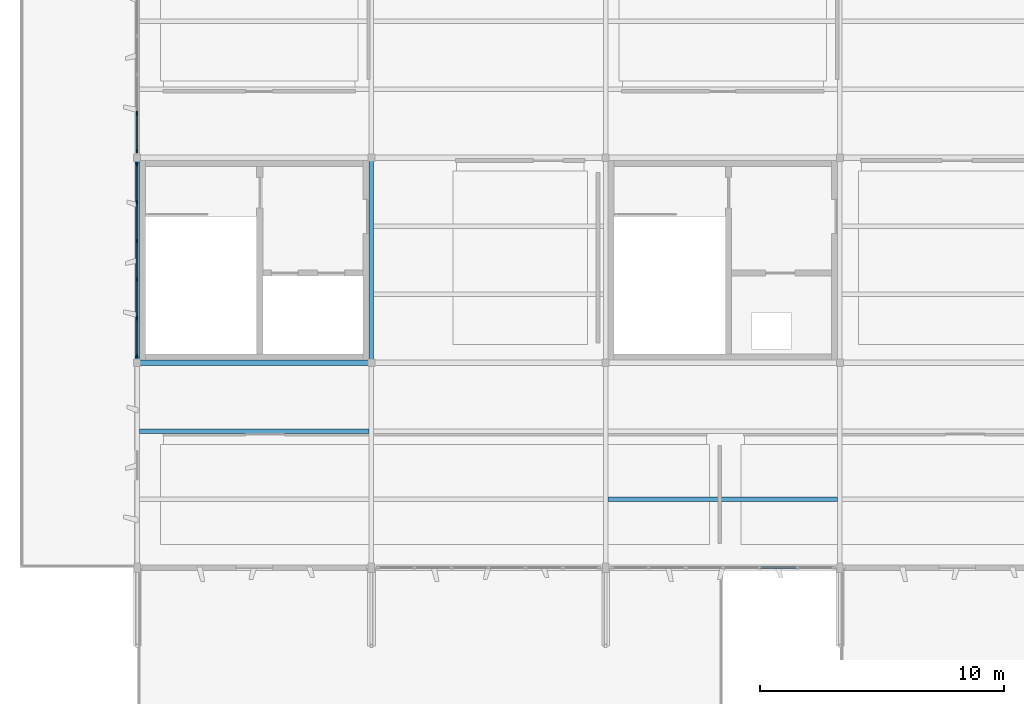
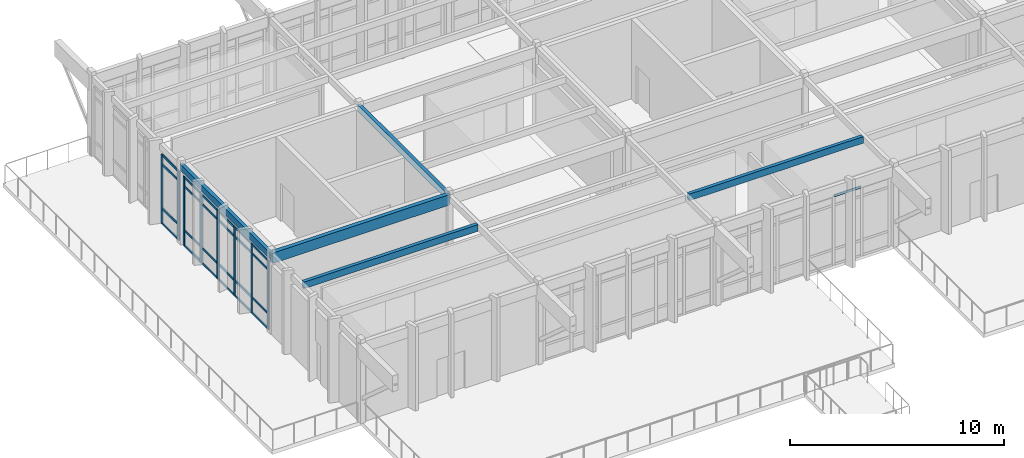
# One storey, part 3 of 19: 33 members, 5 beams, 3 elements without a shape of their own.
"""IFC4 building model written with IfcOpenShell, lengths in metres."""

from ifc_helpers import new_model, si_unit, direction, frame, origin, origin_2d, place, context, subcontext, project, spatial, rectangle, extrude, material, layer, layer_set, material_profile, profile_set, type_object, element, aggregate, save


model = new_model("IFC4")

# Units and contexts
model_context = context("Model", 3, precision=1e-05, world=origin(), true_north=direction((0.0, 1.0)))
body_context = subcontext(model_context, "Body", "Model", "MODEL_VIEW")
ifc_project = project(units=[si_unit("LENGTHUNIT", "METRE"), si_unit("AREAUNIT", "SQUARE_METRE"), si_unit("VOLUMEUNIT", "CUBIC_METRE"), si_unit("PLANEANGLEUNIT", "RADIAN"), si_unit("MASSUNIT", "GRAM", prefix="KILO")], contexts=[model_context])

# Site, building, storey
site_placement = place(None, origin())
site = spatial("IfcSite", under=ifc_project, at=site_placement, CompositionType="ELEMENT")
building_placement = place(site_placement, origin())
building = spatial("IfcBuilding", under=site, at=building_placement, Name="Kolvemor Railside Polytechnic", CompositionType="ELEMENT")
storey_placement = place(building_placement, frame((0.0, 0.0, 27.0)))
storey = spatial("IfcBuildingStorey", under=building, at=storey_placement, Name="L06", CompositionType="ELEMENT", Elevation=27.0)

# Beams
ifc_material_1 = material(Name="Glulam GL28h", Category="wood")
ifc_material_profile_1 = material_profile(ifc_material_1, rectangle(XDim=0.215087890625, YDim=0.60009765625, at=origin_2d()), Name="GL215x600")
ifc_profile_set_1 = profile_set([ifc_material_profile_1], Name="Glulam GL28h")
beam_type_1 = type_object("IfcBeamType", Name="BM-GL-EAVE", PredefinedType="BEAM", material=ifc_profile_set_1)
beam_placement = place(storey_placement, frame((67.199951171875, 21.60009765625, 4.264892578125), z_axis=(1.0, 0.0, 0.0), x_axis=(0.0, 1.0, 0.0)))
element("IfcBeam", 1, at=beam_placement, inside=storey, type_object=beam_type_1, Name="Primary Girder RF-GX 1745", PredefinedType="BEAM", context=body_context, shape_type="SweptSolid", body=[
    extrude(rectangle(XDim=0.215087890625, YDim=0.60009765625, at=origin_2d()), origin(), (0.0, 0.0, 1.0), 9.60009765625),
])
ifc_material_2 = material(Name="Glulam GL28h", Category="wood")
ifc_material_profile_2 = material_profile(ifc_material_2, rectangle(XDim=0.18505859375, YDim=0.3798828125, at=origin_2d()), Name="GL185x380")
ifc_profile_set_2 = profile_set([ifc_material_profile_2], Name="Glulam GL28h")
beam_type_2 = type_object("IfcBeamType", Name="BM-GL-JST6", PredefinedType="JOIST", material=ifc_profile_set_2)
for number, where, z_axis, x_axis, name in (
    (2, (67.2919921875, 18.800048828125, 4.375), (1.0, 0.0, 0.0), (0.0, 1.0, 0.0), "Floor Joist RF-J1803"),
    (3, (86.491943359375, 16.0, 4.375), (1.0, 0.0, 0.0), (0.0, 1.0, 0.0), "Floor Joist RF-J1812"),
):
    element("IfcBeam", number, at=place(storey_placement, frame(where, z_axis=z_axis, x_axis=x_axis)), inside=storey, type_object=beam_type_2, Name=name, PredefinedType="JOIST", context=body_context, shape_type="SweptSolid", body=[
        extrude(rectangle(XDim=0.18505859375, YDim=0.3798828125, at=origin_2d()), origin(), (0.0, 0.0, 1.0), 9.416015625),
    ])
ifc_material_3 = material(Name="Glulam GL28h", Category="wood")
ifc_material_profile_3 = material_profile(ifc_material_3, rectangle(XDim=0.18505859375, YDim=0.360107421875, at=origin_2d()), Name="GL185x360")
ifc_profile_set_3 = profile_set([ifc_material_profile_3], Name="Glulam GL28h")
beam_type_3 = type_object("IfcBeamType", Name="BM-GL-TRIM", PredefinedType="LINTEL", material=ifc_profile_set_3)
for number, where, z_axis, x_axis, name in (
    (4, (67.199951171875, 21.60009765625, 4.385009765625), (0.0, 1.0, 0.0), (-1.0, 0.0, 0.0), "Primary Girder RF-GY 1761"),
    (5, (76.800048828125, 21.60009765625, 4.385009765625), (0.0, 1.0, 0.0), (-1.0, 0.0, 0.0), "Primary Girder RF-GY 1768"),
):
    element("IfcBeam", number, at=place(storey_placement, frame(where, z_axis=z_axis, x_axis=x_axis)), inside=storey, type_object=beam_type_3, Name=name, PredefinedType="LINTEL", context=body_context, shape_type="SweptSolid", body=[
        extrude(rectangle(XDim=0.18505859375, YDim=0.360107421875, at=origin_2d()), origin(), (0.0, 0.0, 1.0), 8.39990234375),
    ])

# Curtain wall, members
ifc_material_4 = material(Name="Anodised marine aluminium and laminated low-E glass", Category="aluminium")
ifc_layer = layer(ifc_material_4, 0.179931640625, Name="CW-STICK-LIB")
ifc_layer_set = layer_set([ifc_layer], Name="Anodised marine aluminium and laminated low-E glass")
curtain_wall_type = type_object("IfcCurtainWallType", Name="CW-STICK-LIB", PredefinedType="USERDEFINED", material=ifc_layer_set)
curtain_wall_1_placement = place(storey_placement, origin())
curtain_wall_1 = element("IfcCurtainWall", 6, at=curtain_wall_1_placement, inside=storey, type_object=curtain_wall_type, Name="Curtain Wall L06-149", ObjectType="STICK GLAZED SCREEN", PredefinedType="USERDEFINED")
ifc_material_5 = material(Name="Anodised marine aluminium 6063-T6", Category="aluminium")
ifc_material_profile_4 = material_profile(ifc_material_5, rectangle(XDim=0.06494140625, YDim=0.14990234375, at=origin_2d()), Name="CW-MUL-65x150")
ifc_profile_set_4 = profile_set([ifc_material_profile_4], Name="Anodised marine aluminium 6063-T6")
member_type_1 = type_object("IfcMemberType", Name="CWM-65x150", PredefinedType="MULLION", material=ifc_profile_set_4)
member_1_placement = place(storey_placement, frame((67.199951171875, 29.7275390625, 0.0), z_axis=(0.0, 0.0, 1.0), x_axis=(1.0, 0.0, 0.0)))
member_1 = element("IfcMember", 7, at=member_1_placement, type_object=member_type_1, Name="CW-LIB mullion 1", PredefinedType="MULLION", context=body_context, shape_type="SweptSolid", body=[
    extrude(rectangle(XDim=0.06494140625, YDim=0.14990234375, at=origin_2d()), origin(), (0.0, 0.0, 1.0), 3.965087890625),
])
member_2_placement = place(storey_placement, frame((67.199951171875, 28.176025390625, 0.0), z_axis=(0.0, 0.0, 1.0), x_axis=(1.0, 0.0, 0.0)))
member_2 = element("IfcMember", 8, at=member_2_placement, type_object=member_type_1, Name="CW-LIB mullion 2", PredefinedType="MULLION", context=body_context, shape_type="SweptSolid", body=[
    extrude(rectangle(XDim=0.06494140625, YDim=0.14990234375, at=origin_2d()), origin(), (0.0, 0.0, 1.0), 3.965087890625),
])
member_3_placement = place(storey_placement, frame((67.199951171875, 26.592041015625, 0.0), z_axis=(0.0, 0.0, 1.0), x_axis=(1.0, 0.0, 0.0)))
member_3 = element("IfcMember", 9, at=member_3_placement, type_object=member_type_1, Name="CW-LIB mullion 3", PredefinedType="MULLION", context=body_context, shape_type="SweptSolid", body=[
    extrude(rectangle(XDim=0.06494140625, YDim=0.14990234375, at=origin_2d()), origin(), (0.0, 0.0, 1.0), 3.965087890625),
])
member_4_placement = place(storey_placement, frame((67.199951171875, 25.008056640625, 0.0), z_axis=(0.0, 0.0, 1.0), x_axis=(1.0, 0.0, 0.0)))
member_4 = element("IfcMember", 10, at=member_4_placement, type_object=member_type_1, Name="CW-LIB mullion 4", PredefinedType="MULLION", context=body_context, shape_type="SweptSolid", body=[
    extrude(rectangle(XDim=0.06494140625, YDim=0.14990234375, at=origin_2d()), origin(), (0.0, 0.0, 1.0), 3.965087890625),
])
member_5_placement = place(storey_placement, frame((67.199951171875, 23.424072265625, 0.0), z_axis=(0.0, 0.0, 1.0), x_axis=(1.0, 0.0, 0.0)))
member_5 = element("IfcMember", 11, at=member_5_placement, type_object=member_type_1, Name="CW-LIB mullion 5", PredefinedType="MULLION", context=body_context, shape_type="SweptSolid", body=[
    extrude(rectangle(XDim=0.06494140625, YDim=0.14990234375, at=origin_2d()), origin(), (0.0, 0.0, 1.0), 3.965087890625),
])
member_6_placement = place(storey_placement, frame((67.199951171875, 21.87255859375, 0.0), z_axis=(0.0, 0.0, 1.0), x_axis=(1.0, 0.0, 0.0)))
member_6 = element("IfcMember", 12, at=member_6_placement, type_object=member_type_1, Name="CW-LIB mullion 6", PredefinedType="MULLION", context=body_context, shape_type="SweptSolid", body=[
    extrude(rectangle(XDim=0.06494140625, YDim=0.14990234375, at=origin_2d()), origin(), (0.0, 0.0, 1.0), 3.965087890625),
])

curtain_wall_2_placement = place(storey_placement, origin())
curtain_wall_2 = element("IfcCurtainWall", 13, at=curtain_wall_2_placement, inside=storey, type_object=curtain_wall_type, Name="Curtain Wall L06-151", ObjectType="STICK GLAZED SCREEN", PredefinedType="USERDEFINED")
member_7_placement = place(storey_placement, frame((67.199951171875, 31.823974609375, 0.0), z_axis=(0.0, 0.0, 1.0), x_axis=(1.0, 0.0, 0.0)))
member_7 = element("IfcMember", 14, at=member_7_placement, type_object=member_type_1, Name="CW-LIB mullion 5", PredefinedType="MULLION", context=body_context, shape_type="SweptSolid", body=[
    extrude(rectangle(XDim=0.06494140625, YDim=0.14990234375, at=origin_2d()), origin(), (0.0, 0.0, 1.0), 3.965087890625),
])
member_8_placement = place(storey_placement, frame((67.199951171875, 30.2724609375, 0.0), z_axis=(0.0, 0.0, 1.0), x_axis=(1.0, 0.0, 0.0)))
member_8 = element("IfcMember", 15, at=member_8_placement, type_object=member_type_1, Name="CW-LIB mullion 6", PredefinedType="MULLION", context=body_context, shape_type="SweptSolid", body=[
    extrude(rectangle(XDim=0.06494140625, YDim=0.14990234375, at=origin_2d()), origin(), (0.0, 0.0, 1.0), 3.965087890625),
])

# Curtain wall, member
curtain_wall_3_placement = place(storey_placement, origin())
curtain_wall_3 = element("IfcCurtainWall", 16, at=curtain_wall_3_placement, inside=storey, type_object=curtain_wall_type, Name="Curtain Wall L06-144", ObjectType="STICK GLAZED SCREEN", PredefinedType="USERDEFINED")
ifc_material_6 = material(Name="Anodised marine aluminium 6063-T6", Category="aluminium")
ifc_material_profile_5 = material_profile(ifc_material_6, rectangle(XDim=0.06494140625, YDim=0.1201171875, at=origin_2d()), Name="CW-TRN-65x120")
ifc_profile_set_5 = profile_set([ifc_material_profile_5], Name="Anodised marine aluminium 6063-T6")
member_type_2 = type_object("IfcMemberType", Name="CWT-65x120", PredefinedType="USERDEFINED", material=ifc_profile_set_5)
member_9_placement = place(storey_placement, frame((92.75244140625, 13.199951171875, 3.9326171875), z_axis=(1.0, 0.0, 0.0), x_axis=(0.0, 1.0, 0.0)))
member_9 = element("IfcMember", 17, at=member_9_placement, type_object=member_type_2, Name="CW-LIB transom 5.4", ObjectType="TRANSOM", PredefinedType="USERDEFINED", context=body_context, shape_type="SweptSolid", body=[
    extrude(rectangle(XDim=0.06494140625, YDim=0.1201171875, at=origin_2d()), origin(), (0.0, 0.0, 1.0), 1.455078125),
])
aggregate(curtain_wall_3, [member_9])

# Member
member_10_placement = place(storey_placement, frame((67.199951171875, 29.695068359375, 0.032470703125), z_axis=(0.0, -1.0, 0.0), x_axis=(1.0, 0.0, 0.0)))
member_10 = element("IfcMember", 18, at=member_10_placement, type_object=member_type_2, Name="CW-LIB transom 1.1", ObjectType="TRANSOM", PredefinedType="USERDEFINED", context=body_context, shape_type="SweptSolid", body=[
    extrude(rectangle(XDim=0.06494140625, YDim=0.1201171875, at=origin_2d()), origin(), (0.0, 0.0, 1.0), 1.486572265625),
])

member_11_placement = place(storey_placement, frame((67.199951171875, 29.695068359375, 0.89990234375), z_axis=(0.0, -1.0, 0.0), x_axis=(1.0, 0.0, 0.0)))
member_11 = element("IfcMember", 19, at=member_11_placement, type_object=member_type_2, Name="CW-LIB transom 1.2", ObjectType="TRANSOM", PredefinedType="USERDEFINED", context=body_context, shape_type="SweptSolid", body=[
    extrude(rectangle(XDim=0.06494140625, YDim=0.1201171875, at=origin_2d()), origin(), (0.0, 0.0, 1.0), 1.486572265625),
])

member_12_placement = place(storey_placement, frame((67.199951171875, 29.695068359375, 3.4150390625), z_axis=(0.0, -1.0, 0.0), x_axis=(1.0, 0.0, 0.0)))
member_12 = element("IfcMember", 20, at=member_12_placement, type_object=member_type_2, Name="CW-LIB transom 1.3", ObjectType="TRANSOM", PredefinedType="USERDEFINED", context=body_context, shape_type="SweptSolid", body=[
    extrude(rectangle(XDim=0.06494140625, YDim=0.1201171875, at=origin_2d()), origin(), (0.0, 0.0, 1.0), 1.486572265625),
])

member_13_placement = place(storey_placement, frame((67.199951171875, 29.695068359375, 3.9326171875), z_axis=(0.0, -1.0, 0.0), x_axis=(1.0, 0.0, 0.0)))
member_13 = element("IfcMember", 21, at=member_13_placement, type_object=member_type_2, Name="CW-LIB transom 1.4", ObjectType="TRANSOM", PredefinedType="USERDEFINED", context=body_context, shape_type="SweptSolid", body=[
    extrude(rectangle(XDim=0.06494140625, YDim=0.1201171875, at=origin_2d()), origin(), (0.0, 0.0, 1.0), 1.486572265625),
])

member_14_placement = place(storey_placement, frame((67.199951171875, 28.1435546875, 0.032470703125), z_axis=(0.0, -1.0, 0.0), x_axis=(1.0, 0.0, 0.0)))
member_14 = element("IfcMember", 22, at=member_14_placement, type_object=member_type_2, Name="CW-LIB transom 2.1", ObjectType="TRANSOM", PredefinedType="USERDEFINED", context=body_context, shape_type="SweptSolid", body=[
    extrude(rectangle(XDim=0.06494140625, YDim=0.1201171875, at=origin_2d()), origin(), (0.0, 0.0, 1.0), 1.51904296875),
])

member_15_placement = place(storey_placement, frame((67.199951171875, 28.1435546875, 0.89990234375), z_axis=(0.0, -1.0, 0.0), x_axis=(1.0, 0.0, 0.0)))
member_15 = element("IfcMember", 23, at=member_15_placement, type_object=member_type_2, Name="CW-LIB transom 2.2", ObjectType="TRANSOM", PredefinedType="USERDEFINED", context=body_context, shape_type="SweptSolid", body=[
    extrude(rectangle(XDim=0.06494140625, YDim=0.1201171875, at=origin_2d()), origin(), (0.0, 0.0, 1.0), 1.51904296875),
])

member_16_placement = place(storey_placement, frame((67.199951171875, 28.1435546875, 3.4150390625), z_axis=(0.0, -1.0, 0.0), x_axis=(1.0, 0.0, 0.0)))
member_16 = element("IfcMember", 24, at=member_16_placement, type_object=member_type_2, Name="CW-LIB transom 2.3", ObjectType="TRANSOM", PredefinedType="USERDEFINED", context=body_context, shape_type="SweptSolid", body=[
    extrude(rectangle(XDim=0.06494140625, YDim=0.1201171875, at=origin_2d()), origin(), (0.0, 0.0, 1.0), 1.51904296875),
])

member_17_placement = place(storey_placement, frame((67.199951171875, 28.1435546875, 3.9326171875), z_axis=(0.0, -1.0, 0.0), x_axis=(1.0, 0.0, 0.0)))
member_17 = element("IfcMember", 25, at=member_17_placement, type_object=member_type_2, Name="CW-LIB transom 2.4", ObjectType="TRANSOM", PredefinedType="USERDEFINED", context=body_context, shape_type="SweptSolid", body=[
    extrude(rectangle(XDim=0.06494140625, YDim=0.1201171875, at=origin_2d()), origin(), (0.0, 0.0, 1.0), 1.51904296875),
])

member_18_placement = place(storey_placement, frame((67.199951171875, 26.5595703125, 0.032470703125), z_axis=(0.0, -1.0, 0.0), x_axis=(1.0, 0.0, 0.0)))
member_18 = element("IfcMember", 26, at=member_18_placement, type_object=member_type_2, Name="CW-LIB transom 3.1", ObjectType="TRANSOM", PredefinedType="USERDEFINED", context=body_context, shape_type="SweptSolid", body=[
    extrude(rectangle(XDim=0.06494140625, YDim=0.1201171875, at=origin_2d()), origin(), (0.0, 0.0, 1.0), 1.51904296875),
])

member_19_placement = place(storey_placement, frame((67.199951171875, 26.5595703125, 0.89990234375), z_axis=(0.0, -1.0, 0.0), x_axis=(1.0, 0.0, 0.0)))
member_19 = element("IfcMember", 27, at=member_19_placement, type_object=member_type_2, Name="CW-LIB transom 3.2", ObjectType="TRANSOM", PredefinedType="USERDEFINED", context=body_context, shape_type="SweptSolid", body=[
    extrude(rectangle(XDim=0.06494140625, YDim=0.1201171875, at=origin_2d()), origin(), (0.0, 0.0, 1.0), 1.51904296875),
])

member_20_placement = place(storey_placement, frame((67.199951171875, 26.5595703125, 3.4150390625), z_axis=(0.0, -1.0, 0.0), x_axis=(1.0, 0.0, 0.0)))
member_20 = element("IfcMember", 28, at=member_20_placement, type_object=member_type_2, Name="CW-LIB transom 3.3", ObjectType="TRANSOM", PredefinedType="USERDEFINED", context=body_context, shape_type="SweptSolid", body=[
    extrude(rectangle(XDim=0.06494140625, YDim=0.1201171875, at=origin_2d()), origin(), (0.0, 0.0, 1.0), 1.51904296875),
])

member_21_placement = place(storey_placement, frame((67.199951171875, 26.5595703125, 3.9326171875), z_axis=(0.0, -1.0, 0.0), x_axis=(1.0, 0.0, 0.0)))
member_21 = element("IfcMember", 29, at=member_21_placement, type_object=member_type_2, Name="CW-LIB transom 3.4", ObjectType="TRANSOM", PredefinedType="USERDEFINED", context=body_context, shape_type="SweptSolid", body=[
    extrude(rectangle(XDim=0.06494140625, YDim=0.1201171875, at=origin_2d()), origin(), (0.0, 0.0, 1.0), 1.51904296875),
])

member_22_placement = place(storey_placement, frame((67.199951171875, 24.9755859375, 0.032470703125), z_axis=(0.0, -1.0, 0.0), x_axis=(1.0, 0.0, 0.0)))
member_22 = element("IfcMember", 30, at=member_22_placement, type_object=member_type_2, Name="CW-LIB transom 4.1", ObjectType="TRANSOM", PredefinedType="USERDEFINED", context=body_context, shape_type="SweptSolid", body=[
    extrude(rectangle(XDim=0.06494140625, YDim=0.1201171875, at=origin_2d()), origin(), (0.0, 0.0, 1.0), 1.51904296875),
])

member_23_placement = place(storey_placement, frame((67.199951171875, 24.9755859375, 0.89990234375), z_axis=(0.0, -1.0, 0.0), x_axis=(1.0, 0.0, 0.0)))
member_23 = element("IfcMember", 31, at=member_23_placement, type_object=member_type_2, Name="CW-LIB transom 4.2", ObjectType="TRANSOM", PredefinedType="USERDEFINED", context=body_context, shape_type="SweptSolid", body=[
    extrude(rectangle(XDim=0.06494140625, YDim=0.1201171875, at=origin_2d()), origin(), (0.0, 0.0, 1.0), 1.51904296875),
])

member_24_placement = place(storey_placement, frame((67.199951171875, 24.9755859375, 3.4150390625), z_axis=(0.0, -1.0, 0.0), x_axis=(1.0, 0.0, 0.0)))
member_24 = element("IfcMember", 32, at=member_24_placement, type_object=member_type_2, Name="CW-LIB transom 4.3", ObjectType="TRANSOM", PredefinedType="USERDEFINED", context=body_context, shape_type="SweptSolid", body=[
    extrude(rectangle(XDim=0.06494140625, YDim=0.1201171875, at=origin_2d()), origin(), (0.0, 0.0, 1.0), 1.51904296875),
])

member_25_placement = place(storey_placement, frame((67.199951171875, 24.9755859375, 3.9326171875), z_axis=(0.0, -1.0, 0.0), x_axis=(1.0, 0.0, 0.0)))
member_25 = element("IfcMember", 33, at=member_25_placement, type_object=member_type_2, Name="CW-LIB transom 4.4", ObjectType="TRANSOM", PredefinedType="USERDEFINED", context=body_context, shape_type="SweptSolid", body=[
    extrude(rectangle(XDim=0.06494140625, YDim=0.1201171875, at=origin_2d()), origin(), (0.0, 0.0, 1.0), 1.51904296875),
])

member_26_placement = place(storey_placement, frame((67.199951171875, 23.3916015625, 0.032470703125), z_axis=(0.0, -1.0, 0.0), x_axis=(1.0, 0.0, 0.0)))
member_26 = element("IfcMember", 34, at=member_26_placement, type_object=member_type_2, Name="CW-LIB transom 5.1", ObjectType="TRANSOM", PredefinedType="USERDEFINED", context=body_context, shape_type="SweptSolid", body=[
    extrude(rectangle(XDim=0.06494140625, YDim=0.1201171875, at=origin_2d()), origin(), (0.0, 0.0, 1.0), 1.486572265625),
])

member_27_placement = place(storey_placement, frame((67.199951171875, 23.3916015625, 0.89990234375), z_axis=(0.0, -1.0, 0.0), x_axis=(1.0, 0.0, 0.0)))
member_27 = element("IfcMember", 35, at=member_27_placement, type_object=member_type_2, Name="CW-LIB transom 5.2", ObjectType="TRANSOM", PredefinedType="USERDEFINED", context=body_context, shape_type="SweptSolid", body=[
    extrude(rectangle(XDim=0.06494140625, YDim=0.1201171875, at=origin_2d()), origin(), (0.0, 0.0, 1.0), 1.486572265625),
])

member_28_placement = place(storey_placement, frame((67.199951171875, 23.3916015625, 3.4150390625), z_axis=(0.0, -1.0, 0.0), x_axis=(1.0, 0.0, 0.0)))
member_28 = element("IfcMember", 36, at=member_28_placement, type_object=member_type_2, Name="CW-LIB transom 5.3", ObjectType="TRANSOM", PredefinedType="USERDEFINED", context=body_context, shape_type="SweptSolid", body=[
    extrude(rectangle(XDim=0.06494140625, YDim=0.1201171875, at=origin_2d()), origin(), (0.0, 0.0, 1.0), 1.486572265625),
])

member_29_placement = place(storey_placement, frame((67.199951171875, 23.3916015625, 3.9326171875), z_axis=(0.0, -1.0, 0.0), x_axis=(1.0, 0.0, 0.0)))
member_29 = element("IfcMember", 37, at=member_29_placement, type_object=member_type_2, Name="CW-LIB transom 5.4", ObjectType="TRANSOM", PredefinedType="USERDEFINED", context=body_context, shape_type="SweptSolid", body=[
    extrude(rectangle(XDim=0.06494140625, YDim=0.1201171875, at=origin_2d()), origin(), (0.0, 0.0, 1.0), 1.486572265625),
])

aggregate(curtain_wall_1, [member_1, member_2, member_3, member_4, member_5, member_6, member_10, member_11, member_12, member_13, member_14, member_15, member_16, member_17, member_18, member_19, member_20, member_21, member_22, member_23, member_24, member_25, member_26, member_27, member_28, member_29])

member_30_placement = place(storey_placement, frame((67.199951171875, 31.79150390625, 0.032470703125), z_axis=(0.0, -1.0, 0.0), x_axis=(1.0, 0.0, 0.0)))
member_30 = element("IfcMember", 38, at=member_30_placement, type_object=member_type_2, Name="CW-LIB transom 5.1", ObjectType="TRANSOM", PredefinedType="USERDEFINED", context=body_context, shape_type="SweptSolid", body=[
    extrude(rectangle(XDim=0.06494140625, YDim=0.1201171875, at=origin_2d()), origin(), (0.0, 0.0, 1.0), 1.486572265625),
])

member_31_placement = place(storey_placement, frame((67.199951171875, 31.79150390625, 0.89990234375), z_axis=(0.0, -1.0, 0.0), x_axis=(1.0, 0.0, 0.0)))
member_31 = element("IfcMember", 39, at=member_31_placement, type_object=member_type_2, Name="CW-LIB transom 5.2", ObjectType="TRANSOM", PredefinedType="USERDEFINED", context=body_context, shape_type="SweptSolid", body=[
    extrude(rectangle(XDim=0.06494140625, YDim=0.1201171875, at=origin_2d()), origin(), (0.0, 0.0, 1.0), 1.486572265625),
])

member_32_placement = place(storey_placement, frame((67.199951171875, 31.79150390625, 3.4150390625), z_axis=(0.0, -1.0, 0.0), x_axis=(1.0, 0.0, 0.0)))
member_32 = element("IfcMember", 40, at=member_32_placement, type_object=member_type_2, Name="CW-LIB transom 5.3", ObjectType="TRANSOM", PredefinedType="USERDEFINED", context=body_context, shape_type="SweptSolid", body=[
    extrude(rectangle(XDim=0.06494140625, YDim=0.1201171875, at=origin_2d()), origin(), (0.0, 0.0, 1.0), 1.486572265625),
])

member_33_placement = place(storey_placement, frame((67.199951171875, 31.79150390625, 3.9326171875), z_axis=(0.0, -1.0, 0.0), x_axis=(1.0, 0.0, 0.0)))
member_33 = element("IfcMember", 41, at=member_33_placement, type_object=member_type_2, Name="CW-LIB transom 5.4", ObjectType="TRANSOM", PredefinedType="USERDEFINED", context=body_context, shape_type="SweptSolid", body=[
    extrude(rectangle(XDim=0.06494140625, YDim=0.1201171875, at=origin_2d()), origin(), (0.0, 0.0, 1.0), 1.486572265625),
])

aggregate(curtain_wall_2, [member_7, member_8, member_30, member_31, member_32, member_33])

save(model, "model.ifc")
